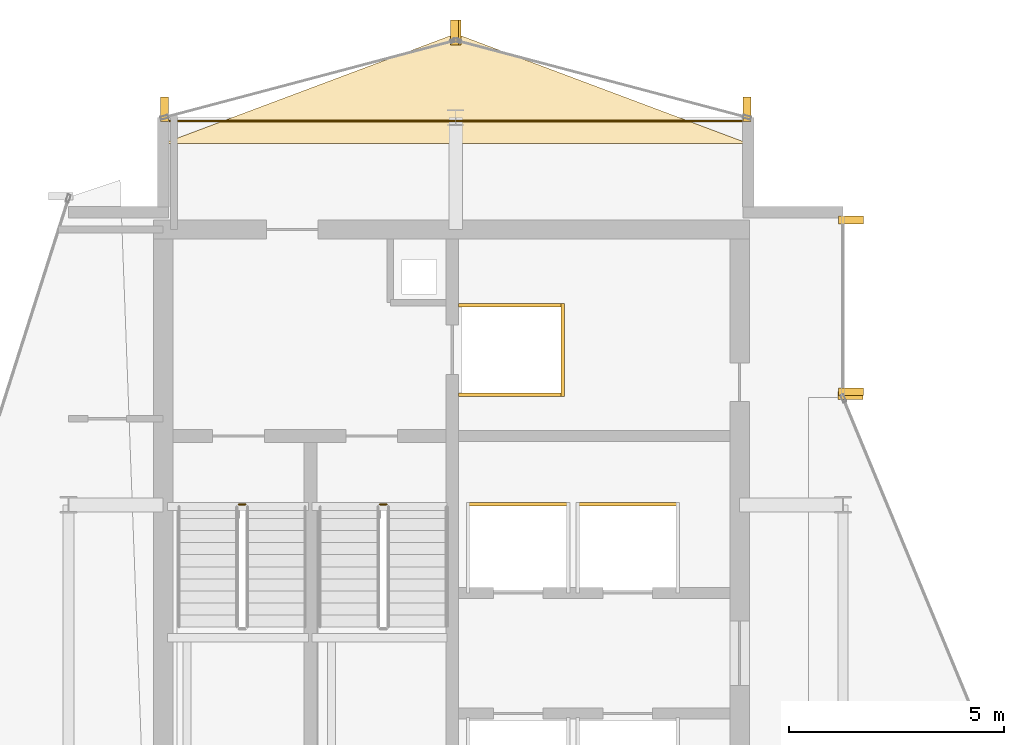
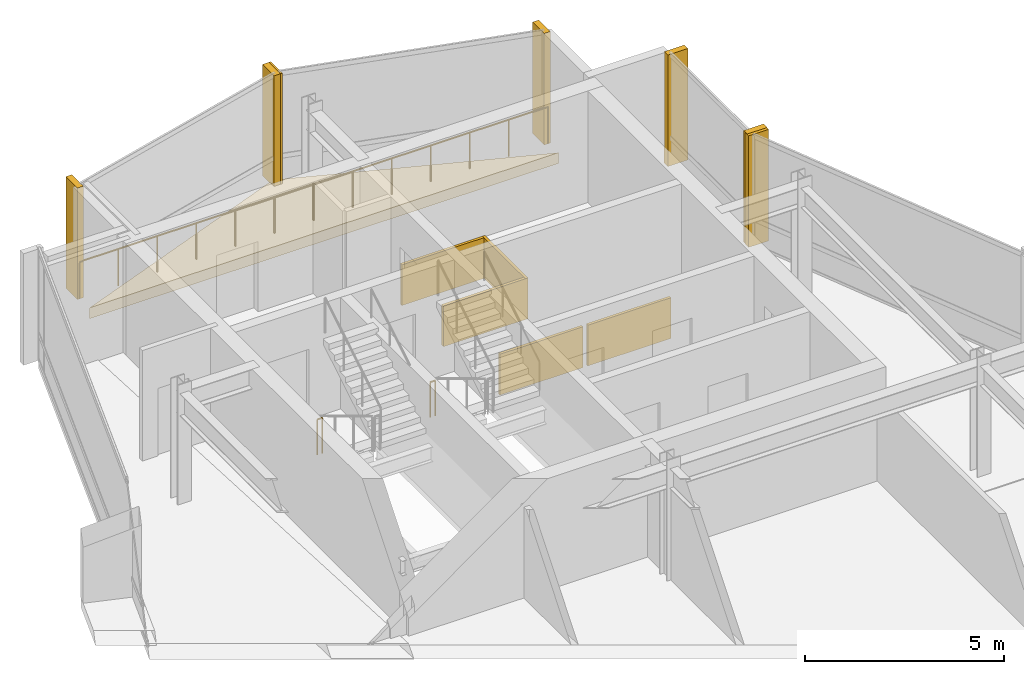
# One storey, part 19 of 19: 13 coverings, 3 railings.
"""IFC4 building model written with IfcOpenShell, lengths in metres."""

from ifc_helpers import new_model, si_unit, direction, frame, origin, origin_2d, place, context, subcontext, project, spatial, polyline, rectangle, circle, outline, extrude, material, layer, layer_set, type_object, element, save


model = new_model("IFC4")

# Units and contexts
model_context = context("Model", 3, precision=1e-05, world=origin(), true_north=direction((0.0, 1.0)))
body_context = subcontext(model_context, "Body", "Model", "MODEL_VIEW")
ifc_project = project(units=[si_unit("LENGTHUNIT", "METRE"), si_unit("AREAUNIT", "SQUARE_METRE"), si_unit("VOLUMEUNIT", "CUBIC_METRE"), si_unit("PLANEANGLEUNIT", "RADIAN"), si_unit("MASSUNIT", "GRAM", prefix="KILO")], contexts=[model_context])

# Site, building, storey
site_placement = place(None, origin())
site = spatial("IfcSite", under=ifc_project, at=site_placement, CompositionType="ELEMENT")
building_placement = place(site_placement, origin())
building = spatial("IfcBuilding", under=site, at=building_placement, Name="Solvaryn Broadcast Tower", CompositionType="ELEMENT")
storey_placement = place(building_placement, frame((0.0, 0.0, 274.10009765625)))
storey = spatial("IfcBuildingStorey", under=building, at=storey_placement, Name="L69", CompositionType="ELEMENT", Elevation=274.10009765625)

# Coverings
ifc_material_1 = material(Name="Fire-Rated Gypsum Shaftwall Liner", Category="concrete")
ifc_layer_1 = layer(ifc_material_1, 0.080078125)
ifc_layer_set_1 = layer_set([ifc_layer_1], Name="CV-SHAFT-LINER")
covering_type_1 = type_object("IfcCoveringType", Name="CV-SHAFT-LINER", PredefinedType="CLADDING", material=ifc_layer_set_1)
for number, where, z_axis, x_axis, name in (
    (1, (19.300048828125, 40.639892578125, 0.0), (0.0, 0.0, 1.0), (1.0, 0.0, 0.0), "L69 FL1 Hoistway Shaft Liner North"),
    (2, (19.300048828125, 38.56005859375, 0.0), (0.0, 0.0, 1.0), (1.0, 0.0, 0.0), "L69 FL1 Hoistway Shaft Liner South"),
):
    element("IfcCovering", number, at=place(storey_placement, frame(where, z_axis=z_axis, x_axis=x_axis)), inside=storey, type_object=covering_type_1, Name=name, PredefinedType="CLADDING", context=body_context, shape_type="SweptSolid", body=[
        extrude(rectangle(XDim=2.4599609375, YDim=0.080078125, at=origin_2d()), origin(), (0.0, 0.0, 1.0), 1.25),
    ])
covering_1_placement = place(storey_placement, frame((20.489990234375, 39.60009765625, 0.0), z_axis=(0.0, 0.0, 1.0), x_axis=(1.0, 0.0, 0.0)))
element("IfcCovering", 3, at=covering_1_placement, inside=storey, type_object=covering_type_1, Name="L69 FL1 Hoistway Shaft Liner East", PredefinedType="CLADDING", context=body_context, shape_type="SweptSolid", body=[
    extrude(rectangle(XDim=0.080078125, YDim=2.159912109375, at=origin_2d()), origin(), (0.0, 0.0, 1.0), 1.25),
])
for number, where, z_axis, x_axis, name in (
    (4, (19.449951171875, 36.014892578125, 0.0), (0.0, 0.0, 1.0), (1.0, 0.0, 0.0), "L69 PH3 Hoistway Shaft Liner North"),
    (5, (22.0, 36.014892578125, 0.0), (0.0, 0.0, 1.0), (1.0, 0.0, 0.0), "L69 PH4 Hoistway Shaft Liner North"),
):
    element("IfcCovering", number, at=place(storey_placement, frame(where, z_axis=z_axis, x_axis=x_axis)), inside=storey, type_object=covering_type_1, Name=name, PredefinedType="CLADDING", context=body_context, shape_type="SweptSolid", body=[
        extrude(rectangle(XDim=2.409912109375, YDim=0.080078125, at=origin_2d()), origin(), (0.0, 0.0, 1.0), 1.25),
    ])
ifc_material_2 = material(Name="Extruded Architectural Terracotta Fin", Category="masonry")
ifc_layer_2 = layer(ifc_material_2, 0.179931640625)
ifc_layer_set_2 = layer_set([ifc_layer_2], Name="CV-TC-FIN")
covering_type_2 = type_object("IfcCoveringType", Name="CV-TC-FIN", PredefinedType="USERDEFINED", material=ifc_layer_set_2)
for number, where, z_axis, x_axis, name in (
    (6, (27.1875, 42.6201171875, 0.0), (0.0, 0.0, 1.0), (1.0, 0.0, 0.0), "L69 Terracotta Vertical Fin FIN-L69-IV-M00"),
    (7, (27.1875, 38.6298828125, 0.0), (0.0, 0.0, 1.0), (1.0, 0.0, 0.0), "L69 Terracotta Vertical Fin FIN-L69-IV-M01"),
    (8, (27.177978515625, 38.541259765625, 0.0), (0.0, 0.0, 1.0), (1.0, 0.0, 0.0), "L69 Terracotta Vertical Fin FIN-L69-CN2-M01"),
):
    element("IfcCovering", number, at=place(storey_placement, frame(where, z_axis=z_axis, x_axis=x_axis)), inside=storey, type_object=covering_type_2, Name=name, ObjectType="FIN", PredefinedType="USERDEFINED", context=body_context, shape_type="SweptSolid", body=[
        extrude(rectangle(XDim=0.580078125, YDim=0.179931640625, at=origin_2d()), origin(), (0.0, 0.0, 1.0), 3.419921875),
    ])
for number, where, z_axis, x_axis, name in (
    (9, (24.77099609375, 45.1953125, 0.0), (0.0, 0.0, 1.0), (1.0, 0.0, 0.0), "L69 Terracotta Vertical Fin FIN-L69-NT1-M00"),
    (10, (18.029052734375, 46.979736328125, 0.0), (0.0, 0.0, 1.0), (1.0, 0.0, 0.0), "L69 Terracotta Vertical Fin FIN-L69-NT1-M01"),
    (11, (17.970947265625, 46.979736328125, 0.0), (0.0, 0.0, 1.0), (1.0, 0.0, 0.0), "L69 Terracotta Vertical Fin FIN-L69-NT2-M00"),
    (12, (11.22900390625, 45.1953125, 0.0), (0.0, 0.0, 1.0), (1.0, 0.0, 0.0), "L69 Terracotta Vertical Fin FIN-L69-NT2-M01"),
):
    element("IfcCovering", number, at=place(storey_placement, frame(where, z_axis=z_axis, x_axis=x_axis)), inside=storey, type_object=covering_type_2, Name=name, ObjectType="FIN", PredefinedType="USERDEFINED", context=body_context, shape_type="SweptSolid", body=[
        extrude(rectangle(XDim=0.179931640625, YDim=0.580078125, at=origin_2d()), origin(), (0.0, 0.0, 1.0), 3.419921875),
    ])
ifc_material_3 = material(Name="Sculpted Architectural Terracotta Wave Fascia", Category="masonry")
ifc_layer_3 = layer(ifc_material_3, 0.340087890625)
ifc_layer_set_3 = layer_set([ifc_layer_3], Name="CV-WAVE-TRAY")
covering_type_3 = type_object("IfcCoveringType", Name="CV-WAVE-TRAY", PredefinedType="CLADDING", material=ifc_layer_set_3)
covering_2_placement = place(storey_placement, frame((0.0, 0.0, -0.300048828125)))
element("IfcCovering", 13, at=covering_2_placement, inside=storey, type_object=covering_type_3, Name="L69 North Curved Wing Deck", PredefinedType="CLADDING", context=body_context, shape_type="SweptSolid", body=[
    extrude(outline(polyline([(11.199951171875, 44.39990234375), (24.800048828125, 44.39990234375), (18.0, 46.949951171875), (11.199951171875, 44.39990234375)])), origin(), (0.0, 0.0, 1.0), 0.329833984375),
])

# Railings
ifc_material_4 = material(Name="Painted Steel Stair Well Guard", Category="steel")
railing_type_1 = type_object("IfcRailingType", Name="RL-STAIR-GUARD", PredefinedType="BALUSTRADE", material=ifc_material_4)
railing_1_placement = place(storey_placement, frame((12.9599609375, 36.010009765625, 0.0)))
element("IfcRailing", 14, at=railing_1_placement, inside=storey, type_object=railing_type_1, Name="L69 ST1 stair guard 4", PredefinedType="BALUSTRADE", context=body_context, shape_type="SweptSolid", body=[
    extrude(circle(Radius=0.02392578125, at=origin_2d()), frame((0.0, 0.0, 1.076171875), z_axis=(1.0, 0.0, 0.0), x_axis=(0.0, 1.0, 0.0)), (0.0, 0.0, 1.0), 0.150146484375),
    extrude(circle(Radius=0.02099609375, at=origin_2d()), origin(), (0.0, 0.0, 1.0), 1.052001953125),
    extrude(circle(Radius=0.02099609375, at=origin_2d()), frame((0.150146484375, 0.0, 0.0)), (0.0, 0.0, 1.0), 1.052001953125),
])
railing_2_placement = place(storey_placement, frame((16.239990234375, 36.010009765625, 0.0)))
element("IfcRailing", 15, at=railing_2_placement, inside=storey, type_object=railing_type_1, Name="L69 ST2 stair guard 4", PredefinedType="BALUSTRADE", context=body_context, shape_type="SweptSolid", body=[
    extrude(circle(Radius=0.02392578125, at=origin_2d()), frame((0.0, 0.0, 1.076171875), z_axis=(1.0, 0.0, 0.0), x_axis=(0.0, 1.0, 0.0)), (0.0, 0.0, 1.0), 0.14990234375),
    extrude(circle(Radius=0.02099609375, at=origin_2d()), origin(), (0.0, 0.0, 1.0), 1.052001953125),
    extrude(circle(Radius=0.02099609375, at=origin_2d()), frame((0.14990234375, 0.0, 0.0)), (0.0, 0.0, 1.0), 1.052001953125),
])
ifc_material_5 = material(Name="Stainless Steel and Laminated Glass Guard", Category="steel")
railing_type_2 = type_object("IfcRailingType", Name="RL-TER-1150", PredefinedType="BALUSTRADE", material=ifc_material_5)
railing_3_placement = place(storey_placement, frame((11.199951171875, 44.919921875, 0.0)))
element("IfcRailing", 16, at=railing_3_placement, inside=storey, type_object=railing_type_2, Name="L69 North Wing Spandrel Edge Guard", PredefinedType="BALUSTRADE", context=body_context, shape_type="SweptSolid", body=[
    extrude(circle(Radius=0.02392578125, at=origin_2d()), frame((0.0, 0.0, 1.1259765625), z_axis=(1.0, 0.0, 0.0), x_axis=(0.0, 1.0, 0.0)), (0.0, 0.0, 1.0), 13.60009765625),
    extrude(circle(Radius=0.02099609375, at=origin_2d()), origin(), (0.0, 0.0, 1.0), 1.101806640625),
    extrude(circle(Radius=0.02099609375, at=origin_2d()), frame((1.13330078125, 0.0, 0.0)), (0.0, 0.0, 1.0), 1.101806640625),
    extrude(circle(Radius=0.02099609375, at=origin_2d()), frame((2.2666015625, 0.0, 0.0)), (0.0, 0.0, 1.0), 1.101806640625),
    extrude(circle(Radius=0.02099609375, at=origin_2d()), frame((3.39990234375, 0.0, 0.0)), (0.0, 0.0, 1.0), 1.101806640625),
    extrude(circle(Radius=0.02099609375, at=origin_2d()), frame((4.533447265625, 0.0, 0.0)), (0.0, 0.0, 1.0), 1.101806640625),
    extrude(circle(Radius=0.02099609375, at=origin_2d()), frame((5.666748046875, 0.0, 0.0)), (0.0, 0.0, 1.0), 1.101806640625),
    extrude(circle(Radius=0.02099609375, at=origin_2d()), frame((6.800048828125, 0.0, 0.0)), (0.0, 0.0, 1.0), 1.101806640625),
    extrude(circle(Radius=0.02099609375, at=origin_2d()), frame((7.933349609375, 0.0, 0.0)), (0.0, 0.0, 1.0), 1.101806640625),
    extrude(circle(Radius=0.02099609375, at=origin_2d()), frame((9.066650390625, 0.0, 0.0)), (0.0, 0.0, 1.0), 1.101806640625),
    extrude(circle(Radius=0.02099609375, at=origin_2d()), frame((10.2001953125, 0.0, 0.0)), (0.0, 0.0, 1.0), 1.101806640625),
    extrude(circle(Radius=0.02099609375, at=origin_2d()), frame((11.33349609375, 0.0, 0.0)), (0.0, 0.0, 1.0), 1.101806640625),
    extrude(circle(Radius=0.02099609375, at=origin_2d()), frame((12.466796875, 0.0, 0.0)), (0.0, 0.0, 1.0), 1.101806640625),
    extrude(circle(Radius=0.02099609375, at=origin_2d()), frame((13.60009765625, 0.0, 0.0)), (0.0, 0.0, 1.0), 1.101806640625),
])

save(model, "model.ifc")
